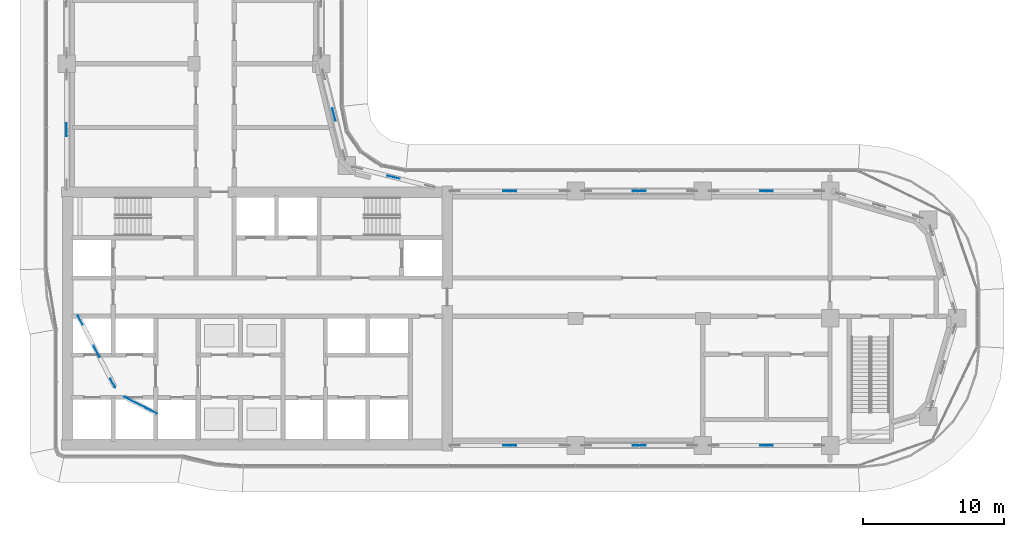
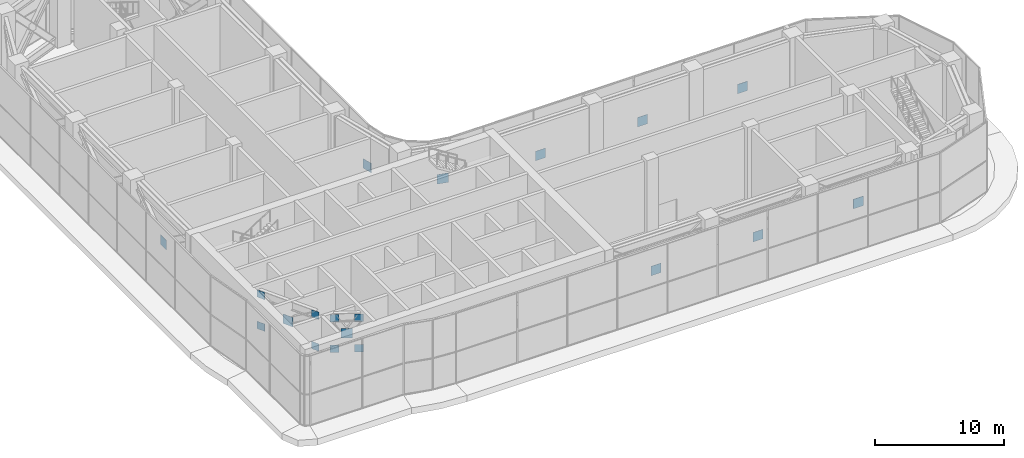
# One storey, part 20 of 35: 19 discrete accessories.
"""IFC4 building model written with IfcOpenShell, lengths in metres."""

import ifcopenshell
import ifcopenshell.guid

model = None  # the IFC model being written
_history = None  # IfcOwnerHistory: only IFC2X3 demands one
_inside = {}  # id of a spatial element -> (the spatial element, [elements in it])
_under = {}  # id of a project, library or spatial element -> (it, [spatial elements below it])
_declared = {}  # id of a project -> (the project, [libraries it declares])
_typed = {}  # id of a type object -> (the type object, [elements of that type])
_made_of = {}  # id of a material, layer set ... -> (it, [elements and type objects made of it])


def new_model(schema):
    """Start an empty IFC model of exactly this schema.

    Asked for "IFC4X3", IfcOpenShell would pick the latest addendum, in which some entities
    have other attributes; the version numbers below select the first issue.
    IFC2X3 requires an IfcOwnerHistory on every rooted entity: one is made here for all.
    """
    global model, _history
    if schema == "IFC4X3":
        model = ifcopenshell.file(schema_version=(4, 3, 0, 0))
    else:
        model = ifcopenshell.file(schema=schema)
    _inside.clear()
    _under.clear()
    _declared.clear()
    _typed.clear()
    _made_of.clear()
    _history = None
    if model.schema == "IFC2X3":
        org = make("IfcOrganization", Name="unknown")
        user = make(
            "IfcPersonAndOrganization",
            ThePerson=make("IfcPerson", FamilyName="unknown"),
            TheOrganization=org,
        )
        app = make(
            "IfcApplication",
            ApplicationDeveloper=org,
            Version="unknown",
            ApplicationFullName="unknown",
            ApplicationIdentifier="unknown",
        )
        _history = make(
            "IfcOwnerHistory",
            OwningUser=user,
            OwningApplication=app,
            ChangeAction="ADDED",
            CreationDate=0,
        )
    return model


def make(cls, **values):
    """One entity of the class cls with the attributes given. An attribute that is None is left unset."""
    return model.create_entity(
        cls, **{name: value for name, value in values.items() if value is not None}
    )


def rooted(cls, **values):
    """An entity with a GlobalId (a new one), such as an element, a storey or a relation."""
    return make(cls, GlobalId=ifcopenshell.guid.new(), OwnerHistory=_history, **values)


def si_unit(unit_type, name, prefix=None):
    """IfcSIUnit, for example si_unit("LENGTHUNIT", "METRE", prefix="MILLI")."""
    return make("IfcSIUnit", UnitType=unit_type, Prefix=prefix, Name=name)


def assignment(units):
    """IfcUnitAssignment: the units of a project."""
    return None if units is None else make("IfcUnitAssignment", Units=units)


def point(xyz):
    """IfcCartesianPoint."""
    return None if xyz is None else make("IfcCartesianPoint", Coordinates=xyz)


def direction(xyz):
    """IfcDirection."""
    return None if xyz is None else make("IfcDirection", DirectionRatios=xyz)


def frame(location, z_axis=None, x_axis=None):
    """IfcAxis2Placement3D, a coordinate frame: its origin and axes. An axis left out is left unset."""
    return make(
        "IfcAxis2Placement3D",
        Location=point(location),
        Axis=direction(z_axis),
        RefDirection=direction(x_axis),
    )


def frame_2d(location, x_axis=None):
    """IfcAxis2Placement2D, a coordinate frame in the plane: its origin and x axis."""
    return make(
        "IfcAxis2Placement2D", Location=point(location), RefDirection=direction(x_axis)
    )


def origin():
    """The frame at (0, 0, 0) with its axes left unset."""
    return frame((0.0, 0.0, 0.0))


def origin_2d():
    """The frame at (0, 0) in the plane with its x axis left unset."""
    return frame_2d((0.0, 0.0))


def place(relative_to, where):
    """IfcLocalPlacement: puts the frame where relative to a parent placement (None: the world)."""
    return make(
        "IfcLocalPlacement", PlacementRelTo=relative_to, RelativePlacement=where
    )


def context(
    kind, dimensions, precision=None, world=None, true_north=None, identifier=None
):
    """IfcGeometricRepresentationContext, for example the 3D "Model" context."""
    return make(
        "IfcGeometricRepresentationContext",
        ContextIdentifier=identifier,
        ContextType=kind,
        CoordinateSpaceDimension=dimensions,
        Precision=precision,
        WorldCoordinateSystem=world,
        TrueNorth=true_north,
    )


def subcontext(parent, identifier, kind, view, scale=None):
    """IfcGeometricRepresentationSubContext, for example "Body" below "Model"."""
    return make(
        "IfcGeometricRepresentationSubContext",
        ContextIdentifier=identifier,
        ContextType=kind,
        ParentContext=parent,
        TargetScale=scale,
        TargetView=view,
    )


def project(units=None, contexts=None):
    """IfcProject with its units and contexts."""
    return rooted(
        "IfcProject",
        Name="project",
        RepresentationContexts=contexts,
        UnitsInContext=assignment(units),
    )


def spatial(cls, under=None, at=None, **own):
    """A site, building, storey or space (cls), placed at a placement, below another one or the project."""
    s = rooted(cls, ObjectPlacement=at, **own)
    if under is not None:
        _under.setdefault(under.id(), (under, []))[1].append(s)
    return s


def profile(cls, at=None, kind="AREA", **sizes):
    """A parametric profile (cls). Its sizes go by their IFC names, for example OverallWidth=200.0."""
    return make(cls, ProfileType=kind, Position=at, **sizes)


def rectangle(**sizes):
    """IfcRectangleProfileDef."""
    return profile("IfcRectangleProfileDef", **sizes)


def extrude(swept, where, along, depth):
    """IfcExtrudedAreaSolid: the profile swept, set in the frame where, extruded along a direction by depth."""
    return make(
        "IfcExtrudedAreaSolid",
        SweptArea=swept,
        Position=where,
        ExtrudedDirection=direction(along),
        Depth=depth,
    )


def shape(context_of_items, identifier, shape_type, items):
    """IfcShapeRepresentation: the items that make up one representation, for example the "Body"."""
    return make(
        "IfcShapeRepresentation",
        ContextOfItems=context_of_items,
        RepresentationIdentifier=identifier,
        RepresentationType=shape_type,
        Items=items,
    )


def material(Name=None, Category=None):
    """IfcMaterial."""
    return make("IfcMaterial", Name=Name, Category=Category)


def layer(
    of_material, thickness, ventilated=None, Name=None, Category=None, Priority=None
):
    """IfcMaterialLayer: one layer of a wall or slab, of a material (None: an air gap)."""
    return make(
        "IfcMaterialLayer",
        Material=of_material,
        LayerThickness=thickness,
        IsVentilated=ventilated,
        Name=Name,
        Category=Category,
        Priority=Priority,
    )


def layer_set(layers, Name=None):
    """IfcMaterialLayerSet."""
    return make("IfcMaterialLayerSet", MaterialLayers=layers, LayerSetName=Name)


def made_of(thing, what):
    """Note that an element or type object is made of a material, layer set ...; save() writes the relation."""
    if what is not None:
        _made_of.setdefault(what.id(), (what, []))[1].append(thing)
    return thing


def type_object(cls, material=None, **own):
    """A type object (cls), such as IfcWallType, which elements share."""
    return made_of(rooted(cls, **own), material)


def element(
    cls,
    number,
    at=None,
    inside=None,
    cuts=None,
    type_object=None,
    material=None,
    context=None,
    identifier="Body",
    shape_type=None,
    held_by="IfcProductDefinitionShape",
    body=None,
    shapes=None,
    **own,
):
    """One element of the class cls, such as IfcWall. Its Tag is "e" and its number.

    at: its placement. inside: the storey or other place that contains it. cuts: it is an
    opening in that element (IfcRelVoidsElement). A single representation is given by context,
    identifier, shape_type and body (its items); several are given by shapes. held_by: the class
    of the entity that holds the representations. save() writes the other relations.
    """
    e = rooted(cls, Tag="e%d" % number, ObjectPlacement=at, **own)
    if body is not None:
        shapes = [shape(context, identifier, shape_type, body)]
    if shapes is not None:
        e.Representation = make(held_by, Representations=shapes)
    if inside is not None:
        _inside.setdefault(inside.id(), (inside, []))[1].append(e)
    if cuts is not None:
        rooted(
            "IfcRelVoidsElement", RelatingBuildingElement=cuts, RelatedOpeningElement=e
        )
    if type_object is not None:
        _typed.setdefault(type_object.id(), (type_object, []))[1].append(e)
    return made_of(e, material)


def aggregate(whole, parts):
    """IfcRelAggregates: a whole, such as a stair, and the parts it consists of."""
    return rooted("IfcRelAggregates", RelatingObject=whole, RelatedObjects=parts)


def save(model, path):
    """Write the relations noted so far, then the file.

    IfcRelAggregates (storeys below a building ...), IfcRelContainedInSpatialStructure (elements
    in a storey), IfcRelDefinesByType, IfcRelAssociatesMaterial and IfcRelDeclares: one each for
    every whole, place, type object, material and project.
    """
    for whole, parts in _under.values():
        aggregate(whole, parts)
    for where, things in _inside.values():
        rooted(
            "IfcRelContainedInSpatialStructure",
            RelatedElements=things,
            RelatingStructure=where,
        )
    for kind, things in _typed.values():
        rooted("IfcRelDefinesByType", RelatedObjects=things, RelatingType=kind)
    for what, things in _made_of.values():
        rooted("IfcRelAssociatesMaterial", RelatedObjects=things, RelatingMaterial=what)
    for by, libraries in _declared.values():
        rooted("IfcRelDeclares", RelatingContext=by, RelatedDefinitions=libraries)
    model.write(path)


model = new_model("IFC4")

# Units and contexts
model_context = context("Model", 3, precision=1e-05, world=origin(), true_north=direction((0.0, 1.0)))
body_context = subcontext(model_context, "Body", "Model", "MODEL_VIEW")
ifc_project = project(units=[si_unit("LENGTHUNIT", "METRE"), si_unit("AREAUNIT", "SQUARE_METRE"), si_unit("VOLUMEUNIT", "CUBIC_METRE"), si_unit("PLANEANGLEUNIT", "RADIAN"), si_unit("MASSUNIT", "GRAM", prefix="KILO")], contexts=[model_context])

# Site, building, storey
site_placement = place(None, origin())
site = spatial("IfcSite", under=ifc_project, at=site_placement, CompositionType="ELEMENT")
building_placement = place(site_placement, origin())
building = spatial("IfcBuilding", under=site, at=building_placement, Name="Ogive Portal Towers", CompositionType="ELEMENT")
storey_placement = place(building_placement, frame((0.0, 0.0, 135.199951171875)))
storey = spatial("IfcBuildingStorey", under=building, at=storey_placement, Name="L33", CompositionType="ELEMENT", Elevation=135.199951171875)

# Discrete accessories
ifc_material = material(Name="Steel S355", Category="steel")
ifc_layer_1 = layer(ifc_material, 0.02001953125)
ifc_layer_set_1 = layer_set([ifc_layer_1], Name="GUSSET PLATE 700x700x20")
discrete_accessory_type_1 = type_object("IfcDiscreteAccessoryType", Name="GUSSET PLATE 700x700x20", PredefinedType="BRACKET", material=ifc_layer_set_1)
for number, where, z_axis, x_axis, name in (
    (1, (32.469970703125, 30.36669921875, 2.84716796875), (0.0, 0.0, 1.0), (0.459223302782, -0.88832086443, 0.0), "Gusset plate"),
    (2, (34.76904296875, 25.919189453125, 5.85302734375), (0.0, 0.0, 1.0), (0.459223302782, -0.88832086443, 0.0), "Gusset plate"),
    (3, (32.469970703125, 30.36669921875, 5.85302734375), (0.0, 0.0, 1.0), (0.459207798588, -0.888328879254, 0.0), "Gusset plate"),
    (4, (34.76904296875, 25.919189453125, 2.84716796875), (0.0, 0.0, 1.0), (0.459207798588, -0.888328879254, 0.0), "Gusset plate"),
    (5, (35.87158203125, 24.793701171875, 5.796875), (0.0, 0.0, 1.0), (0.88832086443, -0.459223302782, 0.0), "Gusset plate"),
    (6, (37.564453125, 23.91845703125, 2.9033203125), (0.0, 0.0, 1.0), (0.88832086443, -0.459223302782, 0.0), "Gusset plate"),
    (7, (35.87158203125, 24.793701171875, 2.9033203125), (0.0, 0.0, 1.0), (0.88832086443, -0.459223302782, 0.0), "Gusset plate"),
    (8, (37.564453125, 23.91845703125, 5.796875), (0.0, 0.0, 1.0), (0.88832086443, -0.459223302782, 0.0), "Gusset plate"),
):
    element("IfcDiscreteAccessory", number, at=place(storey_placement, frame(where, z_axis=z_axis, x_axis=x_axis)), inside=storey, type_object=discrete_accessory_type_1, Name=name, PredefinedType="BRACKET", context=body_context, shape_type="SweptSolid", body=[
        extrude(rectangle(XDim=0.699951171875, YDim=0.02001953125, at=origin_2d()), origin(), (0.0, 0.0, 1.0), 0.699951171875),
    ])
ifc_layer_2 = layer(ifc_material, 0.02490234375)
ifc_layer_set_2 = layer_set([ifc_layer_2], Name="GUSSET PLATE 900x900x25")
discrete_accessory_type_2 = type_object("IfcDiscreteAccessoryType", Name="GUSSET PLATE 900x900x25", PredefinedType="BRACKET", material=ifc_layer_set_2)
for number, where, z_axis, x_axis, name in (
    (9, (62.83740234375, 21.5, 2.900146484375), (0.0, 0.0, 1.0), (1.0, 0.0, 0.0), "Gusset plate"),
    (10, (72.0, 21.5, 2.900146484375), (0.0, 0.0, 1.0), (1.0, 0.0, 0.0), "Gusset plate"),
    (11, (81.0, 21.5, 2.900146484375), (0.0, 0.0, 1.0), (1.0, 0.0, 0.0), "Gusset plate"),
    (12, (81.0, 39.5, 2.900146484375), (0.0, 0.0, 1.0), (-1.0, 0.0, 0.0), "Gusset plate"),
    (13, (72.0, 39.5, 2.900146484375), (0.0, 0.0, 1.0), (-1.0, 0.0, 0.0), "Gusset plate"),
    (14, (62.83740234375, 39.5, 2.900146484375), (0.0, 0.0, 1.0), (-1.0, 0.0, 0.0), "Gusset plate"),
    (15, (54.62158203125, 40.476318359375, 2.900146484375), (0.0, 0.0, 1.0), (-0.969744325821, 0.244122802168, 0.0), "Gusset plate"),
    (16, (50.405029296875, 44.905029296875, 2.900146484375), (0.0, 0.0, 1.0), (-0.244122802168, 0.969744325821, 0.0), "Gusset plate"),
    (17, (31.5, 43.83740234375, 2.900146484375), (0.0, 0.0, 1.0), (0.0, -1.0, 0.0), "Gusset plate"),
    (18, (33.619384765625, 28.14306640625, 4.25), (0.0, 0.0, 1.0), (0.459223302782, -0.88832086443, 0.0), "Gusset plate"),
    (19, (36.718017578125, 24.356201171875, 4.25), (0.0, 0.0, 1.0), (0.88832086443, -0.459223302782, 0.0), "Gusset plate"),
):
    element("IfcDiscreteAccessory", number, at=place(storey_placement, frame(where, z_axis=z_axis, x_axis=x_axis)), inside=storey, type_object=discrete_accessory_type_2, Name=name, PredefinedType="BRACKET", context=body_context, shape_type="SweptSolid", body=[
        extrude(rectangle(XDim=0.89990234375, YDim=0.02490234375, at=origin_2d()), origin(), (0.0, 0.0, 1.0), 0.89990234375),
    ])

save(model, "model.ifc")
